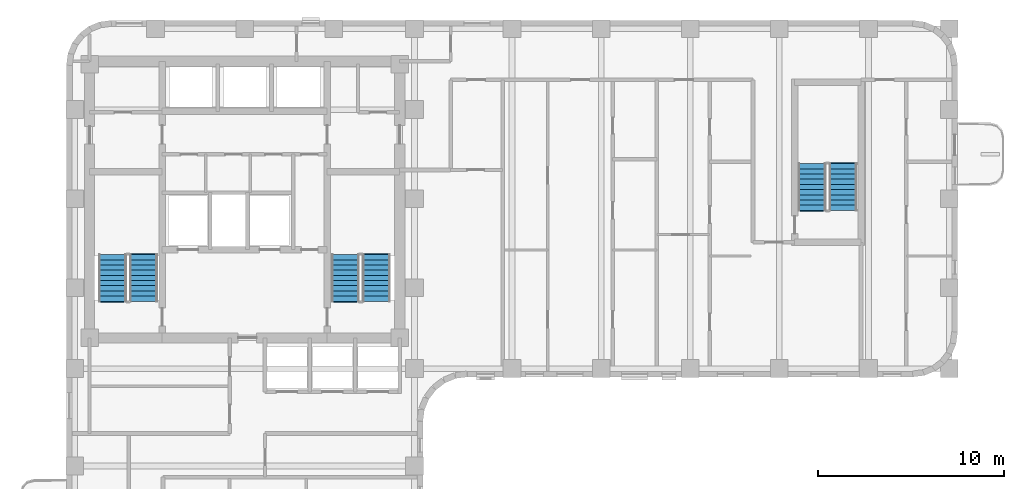
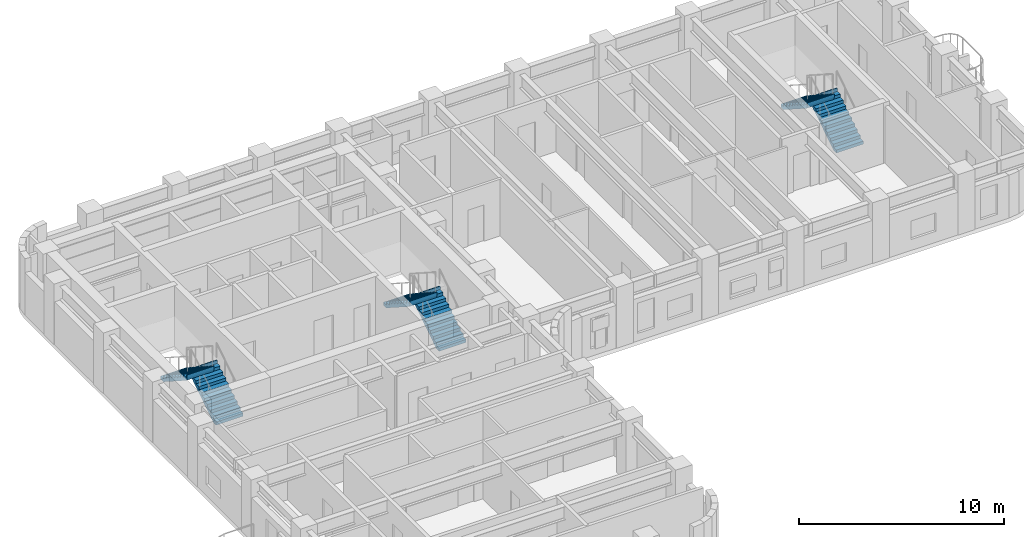
# One storey, part 7 of 10: 6 stair flights, 3 elements without a shape of their own.
"""IFC4 building model written with IfcOpenShell, lengths in metres."""

from ifc_helpers import new_model, si_unit, direction, frame, origin, place, context, subcontext, project, spatial, polyline, outline, extrude, material, type_object, element, aggregate, save


model = new_model("IFC4")

# Units and contexts
model_context = context("Model", 3, precision=1e-05, world=origin(), true_north=direction((0.0, 1.0)))
body_context = subcontext(model_context, "Body", "Model", "MODEL_VIEW")
ifc_project = project(units=[si_unit("LENGTHUNIT", "METRE"), si_unit("AREAUNIT", "SQUARE_METRE"), si_unit("VOLUMEUNIT", "CUBIC_METRE"), si_unit("PLANEANGLEUNIT", "RADIAN"), si_unit("MASSUNIT", "GRAM", prefix="KILO")], contexts=[model_context])

# Site, building, storey
site_placement = place(None, origin())
site = spatial("IfcSite", under=ifc_project, at=site_placement, CompositionType="ELEMENT")
building_placement = place(site_placement, origin())
building = spatial("IfcBuilding", under=site, at=building_placement, Name="Orvandelia Arch Residences", CompositionType="ELEMENT")
storey_placement = place(building_placement, frame((0.0, 0.0, 143.199951171875)))
storey = spatial("IfcBuildingStorey", under=building, at=storey_placement, Name="L37", CompositionType="ELEMENT", Elevation=143.199951171875)

# Stair, stair flights
ifc_material = material(Name="Concrete C40/50", Category="concrete")
stair_type = type_object("IfcStairType", Name="STAIR-RC-DOGLEG", PredefinedType="HALF_TURN_STAIR", material=ifc_material)
stair_1_placement = place(storey_placement, origin())
stair_1 = element("IfcStair", 1, at=stair_1_placement, inside=storey, type_object=stair_type, Name="L37 Protected Exit Stair ST-1", PredefinedType="HALF_TURN_STAIR")
stair_flight_type = type_object("IfcStairFlightType", Name="STFLT-RC-1520", PredefinedType="STRAIGHT", material=ifc_material)
stair_flight_1_placement = place(storey_placement, frame((8.9599609375, 32.8701171875, 0.0), z_axis=(0.0, 0.0, 1.0), x_axis=(0.0, 1.0, 0.0)))
stair_flight_1 = element("IfcStairFlight", 2, at=stair_flight_1_placement, type_object=stair_flight_type, Name="ST-1 flight 1", NumberOfRisers=10, NumberOfTreads=9, PredefinedType="STRAIGHT", RiserHeight=0.18, TreadLength=0.28, context=body_context, shape_type="SweptSolid", body=[
    extrude(outline(polyline([(0.0, 0.0), (0.0, 0.179931640625), (0.280029296875, 0.179931640625), (0.280029296875, 0.360107421875), (0.56005859375, 0.360107421875), (0.56005859375, 0.5400390625), (0.840087890625, 0.5400390625), (0.840087890625, 0.719970703125), (1.1201171875, 0.719970703125), (1.1201171875, 0.89990234375), (1.39990234375, 0.89990234375), (1.39990234375, 1.080078125), (1.679931640625, 1.080078125), (1.679931640625, 1.260009765625), (1.9599609375, 1.260009765625), (1.9599609375, 1.43994140625), (2.239990234375, 1.43994140625), (2.239990234375, 1.6201171875), (2.52001953125, 1.6201171875), (2.52001953125, 1.800048828125), (2.580078125, 1.800048828125), (2.580078125, 1.6201171875), (2.52001953125, 1.44189453125), (0.277099609375, 0.0), (0.0, 0.0)])), frame((0.0, 0.760009765625, 0.0), z_axis=(0.0, -1.0, 0.0), x_axis=(1.0, 0.0, 0.0)), (0.0, 0.0, 1.0), 1.52001953125),
])
stair_flight_2_placement = place(storey_placement, frame((7.2900390625, 35.389892578125, 1.800048828125), z_axis=(0.0, 0.0, 1.0), x_axis=(0.0, -1.0, 0.0)))
stair_flight_2 = element("IfcStairFlight", 3, at=stair_flight_2_placement, type_object=stair_flight_type, Name="ST-1 flight 2", NumberOfRisers=10, NumberOfTreads=9, PredefinedType="STRAIGHT", RiserHeight=0.18, TreadLength=0.28, context=body_context, shape_type="SweptSolid", body=[
    extrude(outline(polyline([(0.0, 0.0), (0.0, 0.179931640625), (0.280029296875, 0.179931640625), (0.280029296875, 0.360107421875), (0.56005859375, 0.360107421875), (0.56005859375, 0.5400390625), (0.840087890625, 0.5400390625), (0.840087890625, 0.719970703125), (1.1201171875, 0.719970703125), (1.1201171875, 0.89990234375), (1.39990234375, 0.89990234375), (1.39990234375, 1.080078125), (1.679931640625, 1.080078125), (1.679931640625, 1.260009765625), (1.9599609375, 1.260009765625), (1.9599609375, 1.43994140625), (2.239990234375, 1.43994140625), (2.239990234375, 1.6201171875), (2.52001953125, 1.6201171875), (2.52001953125, 1.800048828125), (2.580078125, 1.800048828125), (2.580078125, 1.6201171875), (2.52001953125, 1.44189453125), (0.277099609375, 0.0), (0.0, 0.0)])), frame((0.0, 0.760009765625, 0.0), z_axis=(0.0, -1.0, 0.0), x_axis=(1.0, 0.0, 0.0)), (0.0, 0.0, 1.0), 1.52001953125),
])
aggregate(stair_1, [stair_flight_1, stair_flight_2])

stair_2_placement = place(storey_placement, origin())
stair_2 = element("IfcStair", 4, at=stair_2_placement, inside=storey, type_object=stair_type, Name="L37 Protected Exit Stair ST-2", PredefinedType="HALF_TURN_STAIR")
stair_flight_3_placement = place(storey_placement, frame((21.489990234375, 32.8701171875, 0.0), z_axis=(0.0, 0.0, 1.0), x_axis=(0.0, 1.0, 0.0)))
stair_flight_3 = element("IfcStairFlight", 5, at=stair_flight_3_placement, type_object=stair_flight_type, Name="ST-2 flight 1", NumberOfRisers=10, NumberOfTreads=9, PredefinedType="STRAIGHT", RiserHeight=0.18, TreadLength=0.28, context=body_context, shape_type="SweptSolid", body=[
    extrude(outline(polyline([(0.0, 0.0), (0.0, 0.179931640625), (0.280029296875, 0.179931640625), (0.280029296875, 0.360107421875), (0.56005859375, 0.360107421875), (0.56005859375, 0.5400390625), (0.840087890625, 0.5400390625), (0.840087890625, 0.719970703125), (1.1201171875, 0.719970703125), (1.1201171875, 0.89990234375), (1.39990234375, 0.89990234375), (1.39990234375, 1.080078125), (1.679931640625, 1.080078125), (1.679931640625, 1.260009765625), (1.9599609375, 1.260009765625), (1.9599609375, 1.43994140625), (2.239990234375, 1.43994140625), (2.239990234375, 1.6201171875), (2.52001953125, 1.6201171875), (2.52001953125, 1.800048828125), (2.580078125, 1.800048828125), (2.580078125, 1.6201171875), (2.52001953125, 1.44189453125), (0.277099609375, 0.0), (0.0, 0.0)])), frame((0.0, 0.760009765625, 0.0), z_axis=(0.0, -1.0, 0.0), x_axis=(1.0, 0.0, 0.0)), (0.0, 0.0, 1.0), 1.52001953125),
])
stair_flight_4_placement = place(storey_placement, frame((19.820068359375, 35.389892578125, 1.800048828125), z_axis=(0.0, 0.0, 1.0), x_axis=(0.0, -1.0, 0.0)))
stair_flight_4 = element("IfcStairFlight", 6, at=stair_flight_4_placement, type_object=stair_flight_type, Name="ST-2 flight 2", NumberOfRisers=10, NumberOfTreads=9, PredefinedType="STRAIGHT", RiserHeight=0.18, TreadLength=0.28, context=body_context, shape_type="SweptSolid", body=[
    extrude(outline(polyline([(0.0, 0.0), (0.0, 0.179931640625), (0.280029296875, 0.179931640625), (0.280029296875, 0.360107421875), (0.56005859375, 0.360107421875), (0.56005859375, 0.5400390625), (0.840087890625, 0.5400390625), (0.840087890625, 0.719970703125), (1.1201171875, 0.719970703125), (1.1201171875, 0.89990234375), (1.39990234375, 0.89990234375), (1.39990234375, 1.080078125), (1.679931640625, 1.080078125), (1.679931640625, 1.260009765625), (1.9599609375, 1.260009765625), (1.9599609375, 1.43994140625), (2.239990234375, 1.43994140625), (2.239990234375, 1.6201171875), (2.52001953125, 1.6201171875), (2.52001953125, 1.800048828125), (2.580078125, 1.800048828125), (2.580078125, 1.6201171875), (2.52001953125, 1.44189453125), (0.277099609375, 0.0), (0.0, 0.0)])), frame((0.0, 0.760009765625, 0.0), z_axis=(0.0, -1.0, 0.0), x_axis=(1.0, 0.0, 0.0)), (0.0, 0.0, 1.0), 1.52001953125),
])
aggregate(stair_2, [stair_flight_3, stair_flight_4])

stair_3_placement = place(storey_placement, origin())
stair_3 = element("IfcStair", 7, at=stair_3_placement, inside=storey, type_object=stair_type, Name="L37 East Wing Exit Stair ST-3", PredefinedType="HALF_TURN_STAIR")
stair_flight_5_placement = place(storey_placement, frame((46.639892578125, 37.77001953125, 0.0), z_axis=(0.0, 0.0, 1.0), x_axis=(0.0, 1.0, 0.0)))
stair_flight_5 = element("IfcStairFlight", 8, at=stair_flight_5_placement, type_object=stair_flight_type, Name="ST-3 flight 1", NumberOfRisers=10, NumberOfTreads=9, PredefinedType="STRAIGHT", RiserHeight=0.18, TreadLength=0.28, context=body_context, shape_type="SweptSolid", body=[
    extrude(outline(polyline([(0.0, 0.0), (0.0, 0.179931640625), (0.280029296875, 0.179931640625), (0.280029296875, 0.360107421875), (0.56005859375, 0.360107421875), (0.56005859375, 0.5400390625), (0.840087890625, 0.5400390625), (0.840087890625, 0.719970703125), (1.1201171875, 0.719970703125), (1.1201171875, 0.89990234375), (1.39990234375, 0.89990234375), (1.39990234375, 1.080078125), (1.679931640625, 1.080078125), (1.679931640625, 1.260009765625), (1.9599609375, 1.260009765625), (1.9599609375, 1.43994140625), (2.239990234375, 1.43994140625), (2.239990234375, 1.6201171875), (2.52001953125, 1.6201171875), (2.52001953125, 1.800048828125), (2.580078125, 1.800048828125), (2.580078125, 1.6201171875), (2.52001953125, 1.44189453125), (0.277099609375, 0.0), (0.0, 0.0)])), frame((0.0, 0.760009765625, 0.0), z_axis=(0.0, -1.0, 0.0), x_axis=(1.0, 0.0, 0.0)), (0.0, 0.0, 1.0), 1.52001953125),
])
stair_flight_6_placement = place(storey_placement, frame((44.969970703125, 40.2900390625, 1.800048828125), z_axis=(0.0, 0.0, 1.0), x_axis=(0.0, -1.0, 0.0)))
stair_flight_6 = element("IfcStairFlight", 9, at=stair_flight_6_placement, type_object=stair_flight_type, Name="ST-3 flight 2", NumberOfRisers=10, NumberOfTreads=9, PredefinedType="STRAIGHT", RiserHeight=0.18, TreadLength=0.28, context=body_context, shape_type="SweptSolid", body=[
    extrude(outline(polyline([(0.0, 0.0), (0.0, 0.179931640625), (0.280029296875, 0.179931640625), (0.280029296875, 0.360107421875), (0.56005859375, 0.360107421875), (0.56005859375, 0.5400390625), (0.840087890625, 0.5400390625), (0.840087890625, 0.719970703125), (1.1201171875, 0.719970703125), (1.1201171875, 0.89990234375), (1.39990234375, 0.89990234375), (1.39990234375, 1.080078125), (1.679931640625, 1.080078125), (1.679931640625, 1.260009765625), (1.9599609375, 1.260009765625), (1.9599609375, 1.43994140625), (2.239990234375, 1.43994140625), (2.239990234375, 1.6201171875), (2.52001953125, 1.6201171875), (2.52001953125, 1.800048828125), (2.580078125, 1.800048828125), (2.580078125, 1.6201171875), (2.52001953125, 1.44189453125), (0.277099609375, 0.0), (0.0, 0.0)])), frame((0.0, 0.760009765625, 0.0), z_axis=(0.0, -1.0, 0.0), x_axis=(1.0, 0.0, 0.0)), (0.0, 0.0, 1.0), 1.52001953125),
])
aggregate(stair_3, [stair_flight_5, stair_flight_6])

save(model, "model.ifc")
